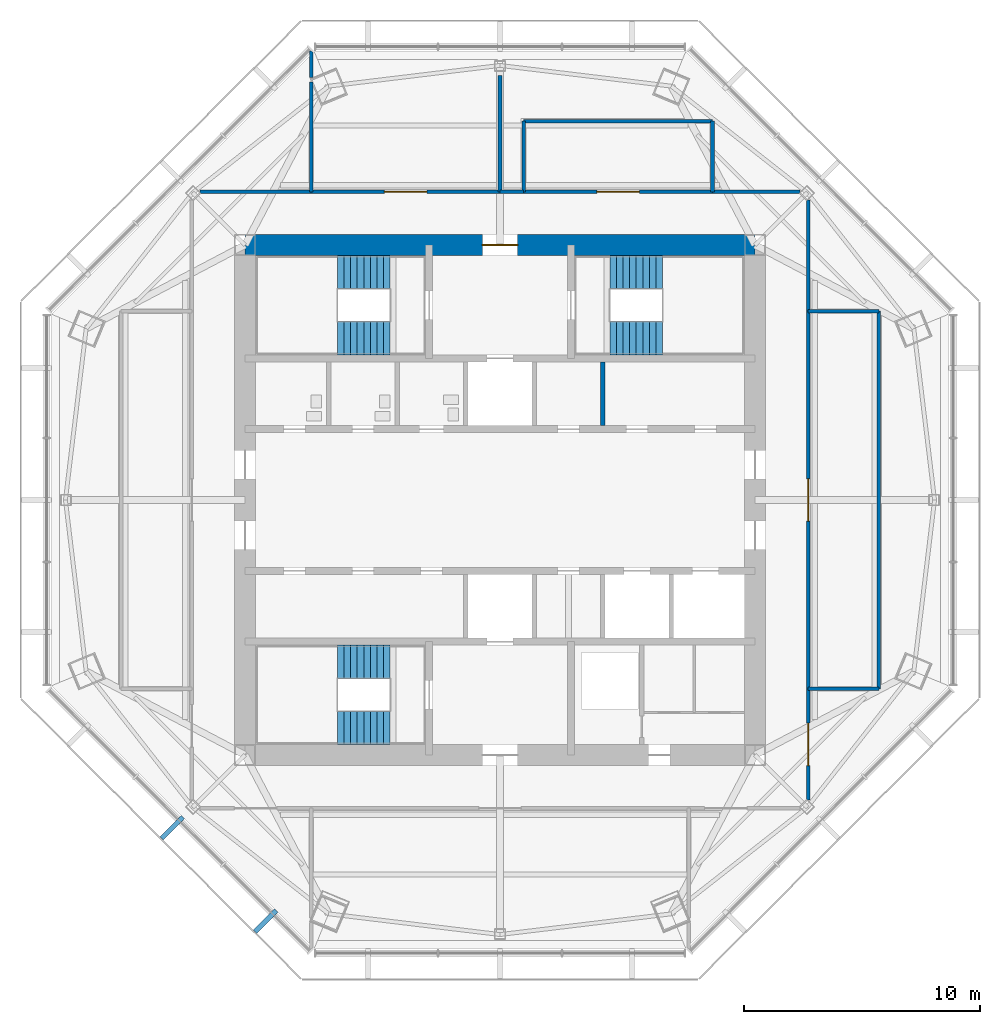
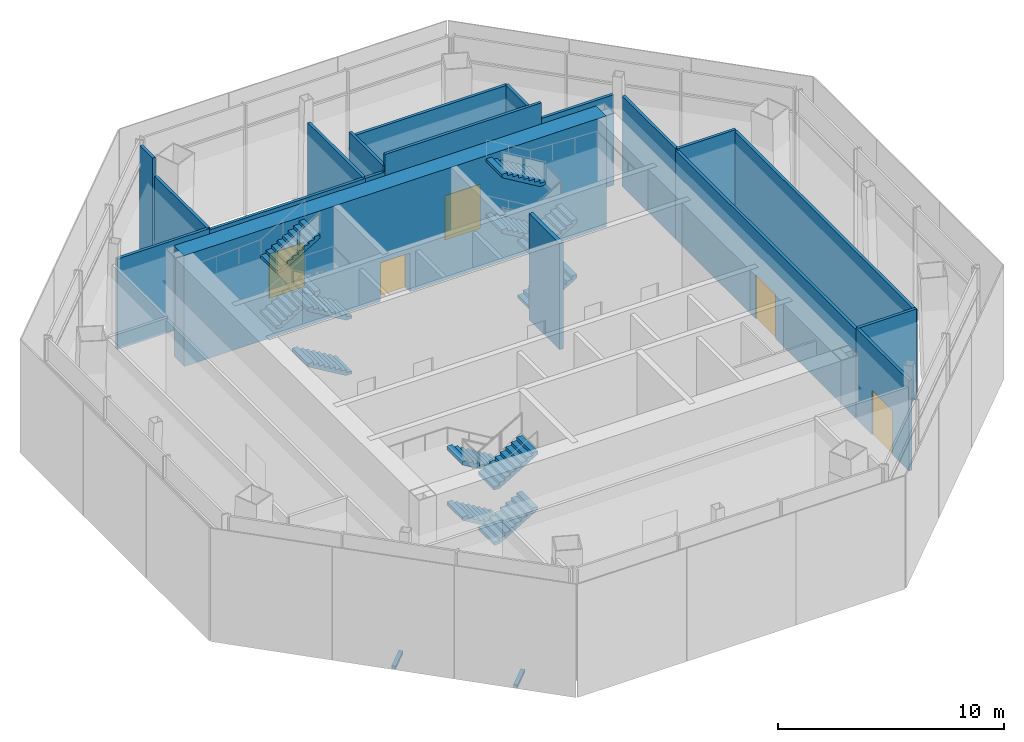
# One storey, part 6 of 11: 19 walls, 12 stair flights, 5 doors, 2 discrete accessories, 5 openings, 3 elements without a shape of their own.
"""IFC4 building model written with IfcOpenShell, lengths in metres."""

from ifc_helpers import new_model, si_unit, direction, frame, frame_2d, origin, origin_2d, place, context, subcontext, project, spatial, polyline, rectangle, outline, extrude, source, transform, mapped, material, layer, layer_set, type_object, type_shapes, element, fill, aggregate, save


model = new_model("IFC4")

# Units and contexts
model_context = context("Model", 3, precision=1e-05, world=origin(), true_north=direction((0.0, 1.0)))
body_context = subcontext(model_context, "Body", "Model", "MODEL_VIEW")
ifc_project = project(units=[si_unit("LENGTHUNIT", "METRE"), si_unit("AREAUNIT", "SQUARE_METRE"), si_unit("VOLUMEUNIT", "CUBIC_METRE"), si_unit("PLANEANGLEUNIT", "RADIAN"), si_unit("MASSUNIT", "GRAM", prefix="KILO")], contexts=[model_context])

# Site, building, storey
site_placement = place(None, origin())
site = spatial("IfcSite", under=ifc_project, at=site_placement, CompositionType="ELEMENT")
building_placement = place(site_placement, origin())
building = spatial("IfcBuilding", under=site, at=building_placement, Name="Mashrafa Tower", CompositionType="ELEMENT")
storey_placement = place(building_placement, frame((0.0, 0.0, 311.60009765625)))
storey = spatial("IfcBuildingStorey", under=building, at=storey_placement, Name="L77", CompositionType="ELEMENT", Elevation=311.60009765625)

# Wall, opening, door
ifc_material_1 = material(Name="Concrete C50/60", Category="concrete")
ifc_layer_1 = layer(ifc_material_1, 0.89990234375)
ifc_layer_set_1 = layer_set([ifc_layer_1], Name="Core wall 900 C50/60")
wall_type_1 = type_object("IfcWallType", Name="Core wall 900 C50/60", PredefinedType="SOLIDWALL", material=ifc_layer_set_1)
wall_1_placement = place(storey_placement, frame((10.800048828125, 10.800048828125, 0.0), z_axis=(0.0, 0.0, 1.0), x_axis=(-1.0, 0.0, 0.0)))
wall_1 = element("IfcWall", 1, at=wall_1_placement, inside=storey, type_object=wall_type_1, Name="Core wall CW-N L77", PredefinedType="SOLIDWALL", context=body_context, shape_type="SweptSolid", body=[
    extrude(rectangle(XDim=21.60009765625, YDim=0.89990234375, at=frame_2d((10.800048828125, 0.0))), origin(), (0.0, 0.0, 1.0), 6.0),
])
opening_1_placement = place(wall_1_placement, frame((10.050048828125, 0.0, 0.0)))
opening_1 = element("IfcOpeningElement", 2, at=opening_1_placement, cuts=wall_1, Name="Opening 77.014", PredefinedType="OPENING", context=body_context, shape_type="SweptSolid", body=[
    extrude(rectangle(XDim=1.5, YDim=2.10009765625, at=frame_2d((0.75, 1.050048828125))), frame((0.0, 0.4599609375, 0.0), z_axis=(0.0, -1.0, 0.0), x_axis=(1.0, 0.0, 0.0)), (0.0, 0.0, 1.0), 0.919921875),
])
ifc_material_2 = material(Name="Steel door", Category="steel")
door_type_1 = type_object("IfcDoorType", Name="Lobby door pair 1500 x 2100 90 min", OperationType="DOUBLE_DOOR_SINGLE_SWING", PredefinedType="DOOR", material=ifc_material_2)
door_1_placement = place(opening_1_placement, origin())
door_1 = element("IfcDoor", 3, at=door_1_placement, inside=storey, type_object=door_type_1, Name="Fire-fighting lobby F1 door L77", OperationType="DOUBLE_DOOR_SINGLE_SWING", OverallHeight=2.10009765625, OverallWidth=1.5, PredefinedType="DOOR", context=body_context, shape_type="SweptSolid", body=[
    extrude(rectangle(XDim=1.5, YDim=2.10009765625, at=frame_2d((0.75, 1.050048828125))), frame((0.0, 0.02490234375, 0.0), z_axis=(0.0, -1.0, 0.0), x_axis=(1.0, 0.0, 0.0)), (0.0, 0.0, 1.0), 0.050048828125),
])
fill(opening_1, door_1)

ifc_material_3 = material(Name="Gypsum board on steel studs", Category="steel")
ifc_layer_2 = layer(ifc_material_3, 0.14990234375)
ifc_layer_set_2 = layer_set([ifc_layer_2], Name="Corridor partition 150 1 hr")
wall_type_2 = type_object("IfcWallType", Name="Corridor partition 150 1 hr", PredefinedType="PARTITIONING", material=ifc_layer_set_2)
wall_2_placement = place(storey_placement, frame((0.0009765625, 13.050048828125, 0.0), z_axis=(0.0, 0.0, 1.0), x_axis=(-1.0, 0.0, 0.0)))
wall_2 = element("IfcWall", 4, at=wall_2_placement, inside=storey, type_object=wall_type_2, Name="Corridor wall L77-002", PredefinedType="PARTITIONING", context=body_context, shape_type="SweptSolid", body=[
    extrude(rectangle(XDim=8.001953125, YDim=0.14990234375, at=frame_2d((4.0009765625, 0.0))), origin(), (0.0, 0.0, 1.0), 4.812744140625),
])
opening_2_placement = place(wall_2_placement, frame((3.10107421875, 0.0, 0.0)))
opening_2 = element("IfcOpeningElement", 5, at=opening_2_placement, cuts=wall_2, Name="Opening 77.002", PredefinedType="OPENING", context=body_context, shape_type="SweptSolid", body=[
    extrude(rectangle(XDim=1.800048828125, YDim=2.39990234375, at=frame_2d((0.89990234375, 1.199951171875))), frame((0.0, 0.0849609375, 0.0), z_axis=(0.0, -1.0, 0.0), x_axis=(1.0, 0.0, 0.0)), (0.0, 0.0, 1.0), 0.169921875),
])
ifc_material_4 = material(Name="Timber door", Category="wood")
door_type_2 = type_object("IfcDoorType", Name="Door pair 1800 x 2400", OperationType="DOUBLE_DOOR_SINGLE_SWING", PredefinedType="DOOR", material=ifc_material_4)
door_2_placement = place(opening_2_placement, frame((1.800048828125, 0.0, 0.0), z_axis=(0.0, 0.0, 1.0), x_axis=(-1.0, 0.0, 0.0)))
door_2 = element("IfcDoor", 6, at=door_2_placement, inside=storey, type_object=door_type_2, Name="Observation Gift Shop L77 door", OperationType="DOUBLE_DOOR_SINGLE_SWING", OverallHeight=2.39990234375, OverallWidth=1.800048828125, PredefinedType="DOOR", context=body_context, shape_type="SweptSolid", body=[
    extrude(rectangle(XDim=1.800048828125, YDim=2.39990234375, at=frame_2d((0.89990234375, 1.199951171875))), frame((0.0, 0.02490234375, 0.0), z_axis=(0.0, -1.0, 0.0), x_axis=(1.0, 0.0, 0.0)), (0.0, 0.0, 1.0), 0.050048828125),
])
fill(opening_2, door_2)

wall_3_placement = place(storey_placement, frame((13.050048828125, -8.0009765625, 0.0), z_axis=(0.0, 0.0, 1.0), x_axis=(0.0, 1.0, 0.0)))
wall_3 = element("IfcWall", 7, at=wall_3_placement, inside=storey, type_object=wall_type_2, Name="Corridor wall L77-003", PredefinedType="PARTITIONING", context=body_context, shape_type="SweptSolid", body=[
    extrude(rectangle(XDim=16.001953125, YDim=0.14990234375, at=frame_2d((8.0009765625, 0.0))), origin(), (0.0, 0.0, 1.0), 4.812744140625),
])
opening_3_placement = place(wall_3_placement, frame((7.10107421875, 0.0, 0.0)))
opening_3 = element("IfcOpeningElement", 8, at=opening_3_placement, cuts=wall_3, Name="Opening 77.003", PredefinedType="OPENING", context=body_context, shape_type="SweptSolid", body=[
    extrude(rectangle(XDim=1.800048828125, YDim=2.39990234375, at=frame_2d((0.89990234375, 1.199951171875))), frame((0.0, 0.0849609375, 0.0), z_axis=(0.0, -1.0, 0.0), x_axis=(1.0, 0.0, 0.0)), (0.0, 0.0, 1.0), 0.169921875),
])
door_3_placement = place(opening_3_placement, frame((1.800048828125, 0.0, 0.0), z_axis=(0.0, 0.0, 1.0), x_axis=(-1.0, 0.0, 0.0)))
door_3 = element("IfcDoor", 9, at=door_3_placement, inside=storey, type_object=door_type_2, Name="Exhibition Room L77 door", OperationType="DOUBLE_DOOR_SINGLE_SWING", OverallHeight=2.39990234375, OverallWidth=1.800048828125, PredefinedType="DOOR", context=body_context, shape_type="SweptSolid", body=[
    extrude(rectangle(XDim=1.800048828125, YDim=2.39990234375, at=frame_2d((0.89990234375, 1.199951171875))), frame((0.0, 0.02490234375, 0.0), z_axis=(0.0, -1.0, 0.0), x_axis=(1.0, 0.0, 0.0)), (0.0, 0.0, 1.0), 0.050048828125),
])
fill(opening_3, door_3)

wall_4_placement = place(storey_placement, frame((9.0009765625, 13.050048828125, 0.0), z_axis=(0.0, 0.0, 1.0), x_axis=(-1.0, 0.0, 0.0)))
wall_4 = element("IfcWall", 10, at=wall_4_placement, inside=storey, type_object=wall_type_2, Name="Corridor wall L77-005", PredefinedType="PARTITIONING", context=body_context, shape_type="SweptSolid", body=[
    extrude(rectangle(XDim=8.001953125, YDim=0.14990234375, at=frame_2d((4.0009765625, 0.0))), origin(), (0.0, 0.0, 1.0), 5.75),
])
opening_4_placement = place(wall_4_placement, frame((3.10107421875, 0.0, 0.0)))
opening_4 = element("IfcOpeningElement", 11, at=opening_4_placement, cuts=wall_4, Name="Opening 77.005", PredefinedType="OPENING", context=body_context, shape_type="SweptSolid", body=[
    extrude(rectangle(XDim=1.800048828125, YDim=2.39990234375, at=frame_2d((0.89990234375, 1.199951171875))), frame((0.0, 0.0849609375, 0.0), z_axis=(0.0, -1.0, 0.0), x_axis=(1.0, 0.0, 0.0)), (0.0, 0.0, 1.0), 0.169921875),
])
door_4_placement = place(opening_4_placement, frame((1.800048828125, 0.0, 0.0), z_axis=(0.0, 0.0, 1.0), x_axis=(-1.0, 0.0, 0.0)))
door_4 = element("IfcDoor", 12, at=door_4_placement, inside=storey, type_object=door_type_2, Name="Event Room L77 door", OperationType="DOUBLE_DOOR_SINGLE_SWING", OverallHeight=2.39990234375, OverallWidth=1.800048828125, PredefinedType="DOOR", context=body_context, shape_type="SweptSolid", body=[
    extrude(rectangle(XDim=1.800048828125, YDim=2.39990234375, at=frame_2d((0.89990234375, 1.199951171875))), frame((0.0, 0.02490234375, 0.0), z_axis=(0.0, -1.0, 0.0), x_axis=(1.0, 0.0, 0.0)), (0.0, 0.0, 1.0), 0.050048828125),
])
fill(opening_4, door_4)

# Wall
wall_5_placement = place(storey_placement, frame((1.0009765625, 13.050048828125, 0.0), z_axis=(0.0, 0.0, 1.0), x_axis=(-1.0, 0.0, 0.0)))
element("IfcWall", 13, at=wall_5_placement, inside=storey, type_object=wall_type_2, Name="Corridor wall L77-006", PredefinedType="PARTITIONING", context=body_context, shape_type="SweptSolid", body=[
    extrude(rectangle(XDim=1.001953125, YDim=0.14990234375, at=frame_2d((0.5009765625, 0.0))), origin(), (0.0, 0.0, 1.0), 4.812744140625),
])

# Wall, opening, door
wall_6_placement = place(storey_placement, frame((13.050048828125, -12.704833984375, 0.0), z_axis=(0.0, 0.0, 1.0), x_axis=(0.0, 1.0, 0.0)))
wall_6 = element("IfcWall", 14, at=wall_6_placement, inside=storey, type_object=wall_type_2, Name="Corridor wall L77-008", PredefinedType="PARTITIONING", context=body_context, shape_type="SweptSolid", body=[
    extrude(rectangle(XDim=4.705810546875, YDim=0.14990234375, at=frame_2d((2.35302734375, 0.0))), origin(), (0.0, 0.0, 1.0), 4.89404296875),
])
opening_5_placement = place(wall_6_placement, frame((1.452880859375, 0.0, 0.0)))
opening_5 = element("IfcOpeningElement", 15, at=opening_5_placement, cuts=wall_6, Name="Opening 77.007", PredefinedType="OPENING", context=body_context, shape_type="SweptSolid", body=[
    extrude(rectangle(XDim=1.800048828125, YDim=2.39990234375, at=frame_2d((0.89990234375, 1.199951171875))), frame((0.0, 0.0849609375, 0.0), z_axis=(0.0, -1.0, 0.0), x_axis=(1.0, 0.0, 0.0)), (0.0, 0.0, 1.0), 0.169921875),
])
door_5_placement = place(opening_5_placement, origin())
door_5 = element("IfcDoor", 16, at=door_5_placement, inside=storey, type_object=door_type_2, Name="Observation Deck East L77 door", OperationType="DOUBLE_DOOR_SINGLE_SWING", OverallHeight=2.39990234375, OverallWidth=1.800048828125, PredefinedType="DOOR", context=body_context, shape_type="SweptSolid", body=[
    extrude(rectangle(XDim=1.800048828125, YDim=2.39990234375, at=frame_2d((0.89990234375, 1.199951171875))), frame((0.0, 0.02490234375, 0.0), z_axis=(0.0, -1.0, 0.0), x_axis=(1.0, 0.0, 0.0)), (0.0, 0.0, 1.0), 0.050048828125),
])
fill(opening_5, door_5)

# Walls
wall_7_placement = place(storey_placement, frame((13.050048828125, 7.9990234375, 0.0), z_axis=(0.0, 0.0, 1.0), x_axis=(0.0, 1.0, 0.0)))
element("IfcWall", 17, at=wall_7_placement, inside=storey, type_object=wall_type_2, Name="Corridor wall L77-009", PredefinedType="PARTITIONING", context=body_context, shape_type="SweptSolid", body=[
    extrude(rectangle(XDim=4.705810546875, YDim=0.14990234375, at=frame_2d((2.35302734375, 0.0))), origin(), (0.0, 0.0, 1.0), 4.89404296875),
])
wall_8_placement = place(storey_placement, frame((12.704833984375, 13.050048828125, 0.0), z_axis=(0.0, 0.0, 1.0), x_axis=(-1.0, 0.0, 0.0)))
element("IfcWall", 18, at=wall_8_placement, inside=storey, type_object=wall_type_2, Name="Corridor wall L77-010", PredefinedType="PARTITIONING", context=body_context, shape_type="SweptSolid", body=[
    extrude(rectangle(XDim=3.705810546875, YDim=0.14990234375, at=frame_2d((1.85302734375, 0.0))), origin(), (0.0, 0.0, 1.0), 4.89404296875),
])
wall_9_placement = place(storey_placement, frame((-7.9990234375, 13.050048828125, 0.0), z_axis=(0.0, 0.0, 1.0), x_axis=(-1.0, 0.0, 0.0)))
element("IfcWall", 19, at=wall_9_placement, inside=storey, type_object=wall_type_2, Name="Corridor wall L77-013", PredefinedType="PARTITIONING", context=body_context, shape_type="SweptSolid", body=[
    extrude(rectangle(XDim=4.705810546875, YDim=0.14990234375, at=frame_2d((2.35302734375, 0.0))), origin(), (0.0, 0.0, 1.0), 4.89404296875),
])
ifc_material_5 = material(Name="Gypsum board on steel studs", Category="steel")
ifc_layer_3 = layer(ifc_material_5, 0.14990234375)
ifc_layer_set_3 = layer_set([ifc_layer_3], Name="Partition 150")
wall_type_3 = type_object("IfcWallType", Name="Partition 150", PredefinedType="PARTITIONING", material=ifc_layer_set_3)
wall_10_placement = place(storey_placement, frame((0.0, 13.050048828125, 0.0), z_axis=(0.0, 0.0, 1.0), x_axis=(0.0, 1.0, 0.0)))
element("IfcWall", 20, at=wall_10_placement, inside=storey, type_object=wall_type_3, Name="Partition wall L77-019", PredefinedType="PARTITIONING", context=body_context, shape_type="SweptSolid", body=[
    extrude(rectangle(XDim=4.93603515625, YDim=0.14990234375, at=frame_2d((2.468017578125, 0.0))), origin(), (0.0, 0.0, 1.0), 4.812744140625),
])
wall_11_placement = place(storey_placement, frame((-8.0, 19.019287109375, 0.0), z_axis=(0.0, 0.0, 1.0), x_axis=(0.0, -1.0, 0.0)))
element("IfcWall", 21, at=wall_11_placement, inside=storey, type_object=wall_type_3, Name="Partition wall L77-020", PredefinedType="PARTITIONING", context=body_context, shape_type="SweptSolid", body=[
    extrude(rectangle(XDim=1.134521484375, YDim=0.14990234375, at=frame_2d((0.5673828125, 0.0))), origin(), (0.0, 0.0, 1.0), 5.75),
])
wall_12_placement = place(storey_placement, frame((-8.0, 17.6962890625, 0.0), z_axis=(0.0, 0.0, 1.0), x_axis=(0.0, -1.0, 0.0)))
element("IfcWall", 22, at=wall_12_placement, inside=storey, type_object=wall_type_3, Name="Partition wall L77-021", PredefinedType="PARTITIONING", context=body_context, shape_type="SweptSolid", body=[
    extrude(rectangle(XDim=4.646240234375, YDim=0.14990234375, at=frame_2d((2.3232421875, 0.0))), origin(), (0.0, 0.0, 1.0), 4.89404296875),
])
wall_13_placement = place(storey_placement, frame((13.050048828125, -8.0, 0.0), z_axis=(0.0, 0.0, 1.0), x_axis=(1.0, 0.0, 0.0)))
element("IfcWall", 23, at=wall_13_placement, inside=storey, type_object=wall_type_3, Name="Partition wall L77-022", PredefinedType="PARTITIONING", context=body_context, shape_type="SweptSolid", body=[
    extrude(rectangle(XDim=3.0, YDim=0.14990234375, at=frame_2d((1.5, 0.0))), origin(), (0.0, 0.0, 1.0), 4.89404296875),
])
wall_14_placement = place(storey_placement, frame((16.050048828125, -8.0, 0.0), z_axis=(0.0, 0.0, 1.0), x_axis=(0.0, 1.0, 0.0)))
element("IfcWall", 24, at=wall_14_placement, inside=storey, type_object=wall_type_3, Name="Partition wall L77-023", PredefinedType="PARTITIONING", context=body_context, shape_type="SweptSolid", body=[
    extrude(rectangle(XDim=16.0, YDim=0.14990234375, at=frame_2d((8.0, 0.0))), origin(), (0.0, 0.0, 1.0), 4.812744140625),
])
for number, where, z_axis, x_axis, name in (
    (25, (16.050048828125, 8.0, 0.0), (0.0, 0.0, 1.0), (-1.0, 0.0, 0.0), "Partition wall L77-024"),
    (26, (9.0, 13.050048828125, 0.0), (0.0, 0.0, 1.0), (0.0, 1.0, 0.0), "Partition wall L77-028"),
):
    element("IfcWall", number, at=place(storey_placement, frame(where, z_axis=z_axis, x_axis=x_axis)), inside=storey, type_object=wall_type_3, Name=name, PredefinedType="PARTITIONING", context=body_context, shape_type="SweptSolid", body=[
        extrude(rectangle(XDim=3.0, YDim=0.14990234375, at=frame_2d((1.5, 0.0))), origin(), (0.0, 0.0, 1.0), 4.89404296875),
    ])
wall_15_placement = place(storey_placement, frame((9.0, 16.050048828125, 0.0), z_axis=(0.0, 0.0, 1.0), x_axis=(-1.0, 0.0, 0.0)))
element("IfcWall", 27, at=wall_15_placement, inside=storey, type_object=wall_type_3, Name="Partition wall L77-029", PredefinedType="PARTITIONING", context=body_context, shape_type="SweptSolid", body=[
    extrude(rectangle(XDim=8.0, YDim=0.14990234375, at=frame_2d((4.0, 0.0))), origin(), (0.0, 0.0, 1.0), 4.89404296875),
])
wall_16_placement = place(storey_placement, frame((1.0, 16.050048828125, 0.0), z_axis=(0.0, 0.0, 1.0), x_axis=(0.0, -1.0, 0.0)))
element("IfcWall", 28, at=wall_16_placement, inside=storey, type_object=wall_type_3, Name="Partition wall L77-030", PredefinedType="PARTITIONING", context=body_context, shape_type="SweptSolid", body=[
    extrude(rectangle(XDim=3.0, YDim=0.14990234375, at=frame_2d((1.5, 0.0))), origin(), (0.0, 0.0, 1.0), 5.1328125),
])
ifc_material_6 = material(Name="Gypsum shaft wall on steel studs", Category="steel")
ifc_layer_4 = layer(ifc_material_6, 0.199951171875)
ifc_layer_set_4 = layer_set([ifc_layer_4], Name="Shaft divider wall 200 2 hr")
wall_type_4 = type_object("IfcWallType", Name="Shaft divider wall 200 2 hr", PredefinedType="PARTITIONING", material=ifc_layer_set_4)
wall_17_placement = place(storey_placement, frame((4.35009765625, 3.14990234375, 0.0), z_axis=(0.0, 0.0, 1.0), x_axis=(0.0, 1.0, 0.0)))
element("IfcWall", 29, at=wall_17_placement, inside=storey, type_object=wall_type_4, Name="Shaft divider wall N5 L77", PredefinedType="PARTITIONING", context=body_context, shape_type="SweptSolid", body=[
    extrude(rectangle(XDim=2.7001953125, YDim=0.199951171875, at=frame_2d((1.35009765625, 0.0))), origin(), (0.0, 0.0, 1.0), 5.75),
])

# Stair, stair flights
ifc_material_7 = material(Name="Exit stair 1400")
stair_type = type_object("IfcStairType", Name="Exit stair 1400", PredefinedType="HALF_TURN_STAIR", material=ifc_material_7)
stair_1_placement = place(storey_placement, origin())
stair_1 = element("IfcStair", 30, at=stair_1_placement, inside=storey, type_object=stair_type, Name="Stair S1 L77", PredefinedType="HALF_TURN_STAIR")
ifc_material_8 = material(Name="Concrete C32/40", Category="concrete")
stair_flight_type = type_object("IfcStairFlightType", Name="Stair flight 1400", PredefinedType="STRAIGHT", material=ifc_material_8)
stair_flight_1_placement = place(storey_placement, frame((-4.64990234375, 6.85009765625, 0.0), z_axis=(0.0, 0.0, 1.0), x_axis=(-1.0, 0.0, 0.0)))
stair_flight_1 = element("IfcStairFlight", 31, at=stair_flight_1_placement, type_object=stair_flight_type, Name="S1 flight 1", NumberOfRisers=9, NumberOfTreads=8, PredefinedType="STRAIGHT", RiserHeight=0.166666667, TreadLength=0.28, context=body_context, shape_type="SweptSolid", body=[
    extrude(outline(polyline([(0.0, 0.0), (0.0, 0.166748046875), (0.280029296875, 0.166748046875), (0.280029296875, 0.333251953125), (0.56005859375, 0.333251953125), (0.56005859375, 0.5), (0.840087890625, 0.5), (0.840087890625, 0.666748046875), (1.1201171875, 0.666748046875), (1.1201171875, 0.833251953125), (1.39990234375, 0.833251953125), (1.39990234375, 1.0), (1.679931640625, 1.0), (1.679931640625, 1.166748046875), (1.9599609375, 1.166748046875), (1.9599609375, 1.333251953125), (2.239990234375, 1.333251953125), (2.239990234375, 1.5), (2.239990234375, 1.158935546875), (0.29296875, 0.0), (0.0, 0.0)])), frame((0.0, 0.699951171875, 0.0), z_axis=(0.0, -1.0, 0.0), x_axis=(1.0, 0.0, 0.0)), (0.0, 0.0, 1.0), 1.39990234375),
])
stair_flight_2_placement = place(storey_placement, frame((-6.889892578125, 9.64990234375, 1.5), z_axis=(0.0, 0.0, 1.0), x_axis=(1.0, 0.0, 0.0)))
stair_flight_2 = element("IfcStairFlight", 32, at=stair_flight_2_placement, type_object=stair_flight_type, Name="S1 flight 2", NumberOfRisers=9, NumberOfTreads=8, PredefinedType="STRAIGHT", RiserHeight=0.166666667, TreadLength=0.28, context=body_context, shape_type="SweptSolid", body=[
    extrude(outline(polyline([(0.0, 0.0), (0.0, 0.166748046875), (0.280029296875, 0.166748046875), (0.280029296875, 0.333251953125), (0.56005859375, 0.333251953125), (0.56005859375, 0.5), (0.840087890625, 0.5), (0.840087890625, 0.666748046875), (1.1201171875, 0.666748046875), (1.1201171875, 0.833251953125), (1.39990234375, 0.833251953125), (1.39990234375, 1.0), (1.679931640625, 1.0), (1.679931640625, 1.166748046875), (1.9599609375, 1.166748046875), (1.9599609375, 1.333251953125), (2.239990234375, 1.333251953125), (2.239990234375, 1.5), (2.239990234375, 1.158935546875), (0.29296875, 0.0), (0.0, 0.0)])), frame((0.0, 0.699951171875, 0.0), z_axis=(0.0, -1.0, 0.0), x_axis=(1.0, 0.0, 0.0)), (0.0, 0.0, 1.0), 1.39990234375),
])
stair_flight_3_placement = place(storey_placement, frame((-4.64990234375, 6.85009765625, 3.0), z_axis=(0.0, 0.0, 1.0), x_axis=(-1.0, 0.0, 0.0)))
stair_flight_3 = element("IfcStairFlight", 33, at=stair_flight_3_placement, type_object=stair_flight_type, Name="S1 flight 3", NumberOfRisers=9, NumberOfTreads=8, PredefinedType="STRAIGHT", RiserHeight=0.166666667, TreadLength=0.28, context=body_context, shape_type="SweptSolid", body=[
    extrude(outline(polyline([(0.0, 0.0), (0.0, 0.166748046875), (0.280029296875, 0.166748046875), (0.280029296875, 0.333251953125), (0.56005859375, 0.333251953125), (0.56005859375, 0.5), (0.840087890625, 0.5), (0.840087890625, 0.666748046875), (1.1201171875, 0.666748046875), (1.1201171875, 0.833251953125), (1.39990234375, 0.833251953125), (1.39990234375, 1.0), (1.679931640625, 1.0), (1.679931640625, 1.166748046875), (1.9599609375, 1.166748046875), (1.9599609375, 1.333251953125), (2.239990234375, 1.333251953125), (2.239990234375, 1.5), (2.239990234375, 1.158935546875), (0.29296875, 0.0), (0.0, 0.0)])), frame((0.0, 0.699951171875, 0.0), z_axis=(0.0, -1.0, 0.0), x_axis=(1.0, 0.0, 0.0)), (0.0, 0.0, 1.0), 1.39990234375),
])
stair_flight_4_placement = place(storey_placement, frame((-6.889892578125, 9.64990234375, 4.5), z_axis=(0.0, 0.0, 1.0), x_axis=(1.0, 0.0, 0.0)))
stair_flight_4 = element("IfcStairFlight", 34, at=stair_flight_4_placement, type_object=stair_flight_type, Name="S1 flight 4", NumberOfRisers=9, NumberOfTreads=8, PredefinedType="STRAIGHT", RiserHeight=0.166666667, TreadLength=0.28, context=body_context, shape_type="SweptSolid", body=[
    extrude(outline(polyline([(0.0, 0.0), (0.0, 0.166748046875), (0.280029296875, 0.166748046875), (0.280029296875, 0.333251953125), (0.56005859375, 0.333251953125), (0.56005859375, 0.5), (0.840087890625, 0.5), (0.840087890625, 0.666748046875), (1.1201171875, 0.666748046875), (1.1201171875, 0.833251953125), (1.39990234375, 0.833251953125), (1.39990234375, 1.0), (1.679931640625, 1.0), (1.679931640625, 1.166748046875), (1.9599609375, 1.166748046875), (1.9599609375, 1.333251953125), (2.239990234375, 1.333251953125), (2.239990234375, 1.5), (2.239990234375, 1.158935546875), (0.29296875, 0.0), (0.0, 0.0)])), frame((0.0, 0.699951171875, 0.0), z_axis=(0.0, -1.0, 0.0), x_axis=(1.0, 0.0, 0.0)), (0.0, 0.0, 1.0), 1.39990234375),
])
aggregate(stair_1, [stair_flight_1, stair_flight_2, stair_flight_3, stair_flight_4])

stair_2_placement = place(storey_placement, origin())
stair_2 = element("IfcStair", 35, at=stair_2_placement, inside=storey, type_object=stair_type, Name="Stair S2 L77", PredefinedType="HALF_TURN_STAIR")
stair_flight_5_placement = place(storey_placement, frame((4.64990234375, 6.85009765625, 0.0), z_axis=(0.0, 0.0, 1.0), x_axis=(1.0, 0.0, 0.0)))
stair_flight_5 = element("IfcStairFlight", 36, at=stair_flight_5_placement, type_object=stair_flight_type, Name="S2 flight 1", NumberOfRisers=9, NumberOfTreads=8, PredefinedType="STRAIGHT", RiserHeight=0.166666667, TreadLength=0.28, context=body_context, shape_type="SweptSolid", body=[
    extrude(outline(polyline([(0.0, 0.0), (0.0, 0.166748046875), (0.280029296875, 0.166748046875), (0.280029296875, 0.333251953125), (0.56005859375, 0.333251953125), (0.56005859375, 0.5), (0.840087890625, 0.5), (0.840087890625, 0.666748046875), (1.1201171875, 0.666748046875), (1.1201171875, 0.833251953125), (1.39990234375, 0.833251953125), (1.39990234375, 1.0), (1.679931640625, 1.0), (1.679931640625, 1.166748046875), (1.9599609375, 1.166748046875), (1.9599609375, 1.333251953125), (2.239990234375, 1.333251953125), (2.239990234375, 1.5), (2.239990234375, 1.158935546875), (0.29296875, 0.0), (0.0, 0.0)])), frame((0.0, 0.699951171875, 0.0), z_axis=(0.0, -1.0, 0.0), x_axis=(1.0, 0.0, 0.0)), (0.0, 0.0, 1.0), 1.39990234375),
])
stair_flight_6_placement = place(storey_placement, frame((6.889892578125, 9.64990234375, 1.5), z_axis=(0.0, 0.0, 1.0), x_axis=(-1.0, 0.0, 0.0)))
stair_flight_6 = element("IfcStairFlight", 37, at=stair_flight_6_placement, type_object=stair_flight_type, Name="S2 flight 2", NumberOfRisers=9, NumberOfTreads=8, PredefinedType="STRAIGHT", RiserHeight=0.166666667, TreadLength=0.28, context=body_context, shape_type="SweptSolid", body=[
    extrude(outline(polyline([(0.0, 0.0), (0.0, 0.166748046875), (0.280029296875, 0.166748046875), (0.280029296875, 0.333251953125), (0.56005859375, 0.333251953125), (0.56005859375, 0.5), (0.840087890625, 0.5), (0.840087890625, 0.666748046875), (1.1201171875, 0.666748046875), (1.1201171875, 0.833251953125), (1.39990234375, 0.833251953125), (1.39990234375, 1.0), (1.679931640625, 1.0), (1.679931640625, 1.166748046875), (1.9599609375, 1.166748046875), (1.9599609375, 1.333251953125), (2.239990234375, 1.333251953125), (2.239990234375, 1.5), (2.239990234375, 1.158935546875), (0.29296875, 0.0), (0.0, 0.0)])), frame((0.0, 0.699951171875, 0.0), z_axis=(0.0, -1.0, 0.0), x_axis=(1.0, 0.0, 0.0)), (0.0, 0.0, 1.0), 1.39990234375),
])
stair_flight_7_placement = place(storey_placement, frame((4.64990234375, 6.85009765625, 3.0), z_axis=(0.0, 0.0, 1.0), x_axis=(1.0, 0.0, 0.0)))
stair_flight_7 = element("IfcStairFlight", 38, at=stair_flight_7_placement, type_object=stair_flight_type, Name="S2 flight 3", NumberOfRisers=9, NumberOfTreads=8, PredefinedType="STRAIGHT", RiserHeight=0.166666667, TreadLength=0.28, context=body_context, shape_type="SweptSolid", body=[
    extrude(outline(polyline([(0.0, 0.0), (0.0, 0.166748046875), (0.280029296875, 0.166748046875), (0.280029296875, 0.333251953125), (0.56005859375, 0.333251953125), (0.56005859375, 0.5), (0.840087890625, 0.5), (0.840087890625, 0.666748046875), (1.1201171875, 0.666748046875), (1.1201171875, 0.833251953125), (1.39990234375, 0.833251953125), (1.39990234375, 1.0), (1.679931640625, 1.0), (1.679931640625, 1.166748046875), (1.9599609375, 1.166748046875), (1.9599609375, 1.333251953125), (2.239990234375, 1.333251953125), (2.239990234375, 1.5), (2.239990234375, 1.158935546875), (0.29296875, 0.0), (0.0, 0.0)])), frame((0.0, 0.699951171875, 0.0), z_axis=(0.0, -1.0, 0.0), x_axis=(1.0, 0.0, 0.0)), (0.0, 0.0, 1.0), 1.39990234375),
])
stair_flight_8_placement = place(storey_placement, frame((6.889892578125, 9.64990234375, 4.5), z_axis=(0.0, 0.0, 1.0), x_axis=(-1.0, 0.0, 0.0)))
stair_flight_8 = element("IfcStairFlight", 39, at=stair_flight_8_placement, type_object=stair_flight_type, Name="S2 flight 4", NumberOfRisers=9, NumberOfTreads=8, PredefinedType="STRAIGHT", RiserHeight=0.166666667, TreadLength=0.28, context=body_context, shape_type="SweptSolid", body=[
    extrude(outline(polyline([(0.0, 0.0), (0.0, 0.166748046875), (0.280029296875, 0.166748046875), (0.280029296875, 0.333251953125), (0.56005859375, 0.333251953125), (0.56005859375, 0.5), (0.840087890625, 0.5), (0.840087890625, 0.666748046875), (1.1201171875, 0.666748046875), (1.1201171875, 0.833251953125), (1.39990234375, 0.833251953125), (1.39990234375, 1.0), (1.679931640625, 1.0), (1.679931640625, 1.166748046875), (1.9599609375, 1.166748046875), (1.9599609375, 1.333251953125), (2.239990234375, 1.333251953125), (2.239990234375, 1.5), (2.239990234375, 1.158935546875), (0.29296875, 0.0), (0.0, 0.0)])), frame((0.0, 0.699951171875, 0.0), z_axis=(0.0, -1.0, 0.0), x_axis=(1.0, 0.0, 0.0)), (0.0, 0.0, 1.0), 1.39990234375),
])
aggregate(stair_2, [stair_flight_5, stair_flight_6, stair_flight_7, stair_flight_8])

stair_3_placement = place(storey_placement, origin())
stair_3 = element("IfcStair", 40, at=stair_3_placement, inside=storey, type_object=stair_type, Name="Stair S3 L77", PredefinedType="HALF_TURN_STAIR")
stair_flight_9_placement = place(storey_placement, frame((-4.64990234375, -6.85009765625, 0.0), z_axis=(0.0, 0.0, 1.0), x_axis=(-1.0, 0.0, 0.0)))
stair_flight_9 = element("IfcStairFlight", 41, at=stair_flight_9_placement, type_object=stair_flight_type, Name="S3 flight 1", NumberOfRisers=9, NumberOfTreads=8, PredefinedType="STRAIGHT", RiserHeight=0.166666667, TreadLength=0.28, context=body_context, shape_type="SweptSolid", body=[
    extrude(outline(polyline([(0.0, 0.0), (0.0, 0.166748046875), (0.280029296875, 0.166748046875), (0.280029296875, 0.333251953125), (0.56005859375, 0.333251953125), (0.56005859375, 0.5), (0.840087890625, 0.5), (0.840087890625, 0.666748046875), (1.1201171875, 0.666748046875), (1.1201171875, 0.833251953125), (1.39990234375, 0.833251953125), (1.39990234375, 1.0), (1.679931640625, 1.0), (1.679931640625, 1.166748046875), (1.9599609375, 1.166748046875), (1.9599609375, 1.333251953125), (2.239990234375, 1.333251953125), (2.239990234375, 1.5), (2.239990234375, 1.158935546875), (0.29296875, 0.0), (0.0, 0.0)])), frame((0.0, 0.699951171875, 0.0), z_axis=(0.0, -1.0, 0.0), x_axis=(1.0, 0.0, 0.0)), (0.0, 0.0, 1.0), 1.39990234375),
])
stair_flight_10_placement = place(storey_placement, frame((-6.889892578125, -9.64990234375, 1.5), z_axis=(0.0, 0.0, 1.0), x_axis=(1.0, 0.0, 0.0)))
stair_flight_10 = element("IfcStairFlight", 42, at=stair_flight_10_placement, type_object=stair_flight_type, Name="S3 flight 2", NumberOfRisers=9, NumberOfTreads=8, PredefinedType="STRAIGHT", RiserHeight=0.166666667, TreadLength=0.28, context=body_context, shape_type="SweptSolid", body=[
    extrude(outline(polyline([(0.0, 0.0), (0.0, 0.166748046875), (0.280029296875, 0.166748046875), (0.280029296875, 0.333251953125), (0.56005859375, 0.333251953125), (0.56005859375, 0.5), (0.840087890625, 0.5), (0.840087890625, 0.666748046875), (1.1201171875, 0.666748046875), (1.1201171875, 0.833251953125), (1.39990234375, 0.833251953125), (1.39990234375, 1.0), (1.679931640625, 1.0), (1.679931640625, 1.166748046875), (1.9599609375, 1.166748046875), (1.9599609375, 1.333251953125), (2.239990234375, 1.333251953125), (2.239990234375, 1.5), (2.239990234375, 1.158935546875), (0.29296875, 0.0), (0.0, 0.0)])), frame((0.0, 0.699951171875, 0.0), z_axis=(0.0, -1.0, 0.0), x_axis=(1.0, 0.0, 0.0)), (0.0, 0.0, 1.0), 1.39990234375),
])
stair_flight_11_placement = place(storey_placement, frame((-4.64990234375, -6.85009765625, 3.0), z_axis=(0.0, 0.0, 1.0), x_axis=(-1.0, 0.0, 0.0)))
stair_flight_11 = element("IfcStairFlight", 43, at=stair_flight_11_placement, type_object=stair_flight_type, Name="S3 flight 3", NumberOfRisers=9, NumberOfTreads=8, PredefinedType="STRAIGHT", RiserHeight=0.166666667, TreadLength=0.28, context=body_context, shape_type="SweptSolid", body=[
    extrude(outline(polyline([(0.0, 0.0), (0.0, 0.166748046875), (0.280029296875, 0.166748046875), (0.280029296875, 0.333251953125), (0.56005859375, 0.333251953125), (0.56005859375, 0.5), (0.840087890625, 0.5), (0.840087890625, 0.666748046875), (1.1201171875, 0.666748046875), (1.1201171875, 0.833251953125), (1.39990234375, 0.833251953125), (1.39990234375, 1.0), (1.679931640625, 1.0), (1.679931640625, 1.166748046875), (1.9599609375, 1.166748046875), (1.9599609375, 1.333251953125), (2.239990234375, 1.333251953125), (2.239990234375, 1.5), (2.239990234375, 1.158935546875), (0.29296875, 0.0), (0.0, 0.0)])), frame((0.0, 0.699951171875, 0.0), z_axis=(0.0, -1.0, 0.0), x_axis=(1.0, 0.0, 0.0)), (0.0, 0.0, 1.0), 1.39990234375),
])
stair_flight_12_placement = place(storey_placement, frame((-6.889892578125, -9.64990234375, 4.5), z_axis=(0.0, 0.0, 1.0), x_axis=(1.0, 0.0, 0.0)))
stair_flight_12 = element("IfcStairFlight", 44, at=stair_flight_12_placement, type_object=stair_flight_type, Name="S3 flight 4", NumberOfRisers=9, NumberOfTreads=8, PredefinedType="STRAIGHT", RiserHeight=0.166666667, TreadLength=0.28, context=body_context, shape_type="SweptSolid", body=[
    extrude(outline(polyline([(0.0, 0.0), (0.0, 0.166748046875), (0.280029296875, 0.166748046875), (0.280029296875, 0.333251953125), (0.56005859375, 0.333251953125), (0.56005859375, 0.5), (0.840087890625, 0.5), (0.840087890625, 0.666748046875), (1.1201171875, 0.666748046875), (1.1201171875, 0.833251953125), (1.39990234375, 0.833251953125), (1.39990234375, 1.0), (1.679931640625, 1.0), (1.679931640625, 1.166748046875), (1.9599609375, 1.166748046875), (1.9599609375, 1.333251953125), (2.239990234375, 1.333251953125), (2.239990234375, 1.5), (2.239990234375, 1.158935546875), (0.29296875, 0.0), (0.0, 0.0)])), frame((0.0, 0.699951171875, 0.0), z_axis=(0.0, -1.0, 0.0), x_axis=(1.0, 0.0, 0.0)), (0.0, 0.0, 1.0), 1.39990234375),
])
aggregate(stair_3, [stair_flight_9, stair_flight_10, stair_flight_11, stair_flight_12])

# Discrete accessories
ifc_material_9 = material(Name="Stainless steel screen bracket", Category="steel")
discrete_accessory_type = type_object("IfcDiscreteAccessoryType", Name="Screen support bracket 200 x 150", PredefinedType="BRACKET", material=ifc_material_9)
shared_shape = source(origin(), body_context, "Body", "SweptSolid", [
    extrude(rectangle(XDim=0.199951171875, YDim=1.27001953125, at=origin_2d()), origin(), (0.0, 0.0, 1.0), 0.14990234375),
])
type_shapes(discrete_accessory_type, [shared_shape])
for number, where, z_axis, x_axis, name in (
    (45, (-13.884033203125, -13.884033203125, -0.150146484375), (0.0, 0.0, 1.0), (0.707106781187, -0.707106781187, 0.0), "Screen support bracket L77 south-west 2"),
    (46, (-9.930908203125, -17.83740234375, -0.150146484375), (0.0, 0.0, 1.0), (0.707106781187, -0.707106781187, 0.0), "Screen support bracket L77 south-west 3"),
):
    element("IfcDiscreteAccessory", number, at=place(storey_placement, frame(where, z_axis=z_axis, x_axis=x_axis)), inside=storey, type_object=discrete_accessory_type, Name=name, PredefinedType="BRACKET", context=body_context, shape_type="MappedRepresentation", body=[
        mapped(shared_shape, transform((0.0, 0.0, 0.0))),
    ])

save(model, "model.ifc")
